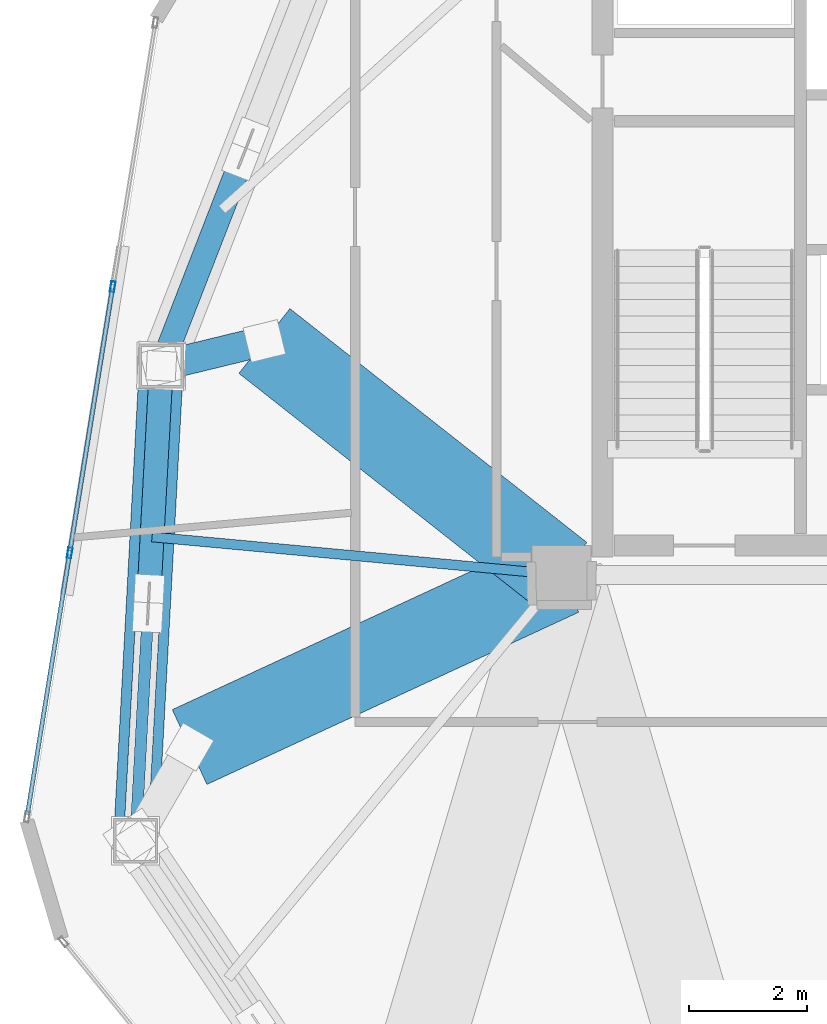
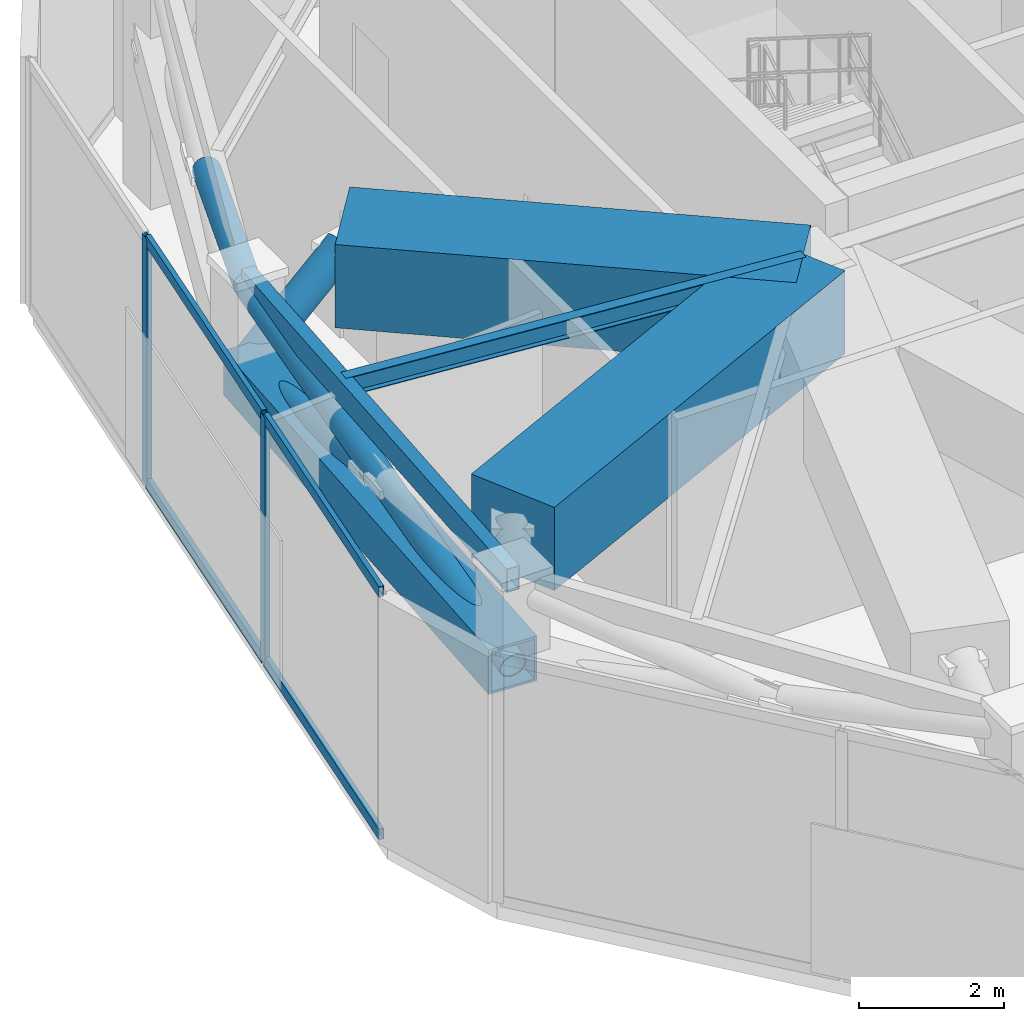
# One storey, part 6 of 19: 11 members, 4 beams, 1 element without a shape of its own.
"""IFC4 building model written with IfcOpenShell, lengths in metres."""

from ifc_helpers import new_model, si_unit, direction, frame, origin, origin_2d, place, context, subcontext, project, spatial, rectangle, hollow_rectangle, hollow_circle, i_section, extrude, source, transform, mapped, material, layer, layer_set, material_profile, profile_set, type_object, type_shapes, element, aggregate, save


model = new_model("IFC4")

# Units and contexts
model_context = context("Model", 3, precision=1e-05, world=origin(), true_north=direction((0.0, 1.0)))
body_context = subcontext(model_context, "Body", "Model", "MODEL_VIEW")
ifc_project = project(units=[si_unit("LENGTHUNIT", "METRE"), si_unit("AREAUNIT", "SQUARE_METRE"), si_unit("VOLUMEUNIT", "CUBIC_METRE"), si_unit("PLANEANGLEUNIT", "RADIAN"), si_unit("MASSUNIT", "GRAM", prefix="KILO")], contexts=[model_context])

# Site, building, storey
site_placement = place(None, origin())
site = spatial("IfcSite", under=ifc_project, at=site_placement, CompositionType="ELEMENT")
building_placement = place(site_placement, origin())
building = spatial("IfcBuilding", under=site, at=building_placement, Name="Talar Marvaseh", CompositionType="ELEMENT")
storey_placement = place(building_placement, frame((0.0, 0.0, 236.199951171875)))
storey = spatial("IfcBuildingStorey", under=building, at=storey_placement, Name="L62", CompositionType="ELEMENT", Elevation=236.199951171875)

# Beams
ifc_material_1 = material(Name="Concrete C70/85", Category="concrete")
ifc_material_profile_1 = material_profile(ifc_material_1, rectangle(XDim=1.39990234375, YDim=1.39990234375, at=origin_2d()), Name="RC1400x1400")
ifc_profile_set_1 = profile_set([ifc_material_profile_1], Name="Concrete C70/85")
beam_type_1 = type_object("IfcBeamType", Name="Setback Deep Concrete Transfer Girder RC1400x1400", PredefinedType="BEAM", material=ifc_profile_set_1)
beam_1_placement = place(storey_placement, frame((12.388916015625, 22.576904296875, 3.449951171875), z_axis=(0.907394527995, 0.420279871709, 0.0), x_axis=(-0.420279871709, 0.907394527995, 0.0)))
element("IfcBeam", 1, at=beam_1_placement, inside=storey, type_object=beam_type_1, Name="L62 Setback Backspan Transfer Girder 1", PredefinedType="BEAM", context=body_context, shape_type="SweptSolid", body=[
    extrude(rectangle(XDim=1.39990234375, YDim=1.39990234375, at=origin_2d()), origin(), (0.0, 0.0, 1.0), 6.955078125),
])
beam_2_placement = place(storey_placement, frame((13.657958984375, 29.469970703125, 3.449951171875), z_axis=(0.785681617372, -0.618631066245, 0.0), x_axis=(0.618631066245, 0.785681617372, 0.0)))
element("IfcBeam", 2, at=beam_2_placement, inside=storey, type_object=beam_type_1, Name="L62 Setback Backspan Transfer Girder 2", PredefinedType="BEAM", context=body_context, shape_type="SweptSolid", body=[
    extrude(rectangle(XDim=1.39990234375, YDim=1.39990234375, at=origin_2d()), origin(), (0.0, 0.0, 1.0), 6.417236328125),
])
ifc_material_2 = material(Name="Steel S355", Category="steel")
ifc_material_profile_2 = material_profile(ifc_material_2, hollow_rectangle(XDim=0.199951171875, YDim=0.39990234375, WallThickness=0.013916015625, at=origin_2d()), Name="RHS400x200x14")
ifc_profile_set_2 = profile_set([ifc_material_profile_2], Name="Steel S355")
beam_type_2 = type_object("IfcBeamType", Name="Zone 3 Perimeter Spandrel Beam RHS400x200x14", PredefinedType="SPANDREL", material=ifc_profile_set_2)
beam_3_placement = place(storey_placement, frame((11.471923828125, 20.986083984375, 3.949951171875), z_axis=(0.054148078426, 0.998532916635, 0.0), x_axis=(-0.998532916635, 0.054148078426, 0.0)))
element("IfcBeam", 3, at=beam_3_placement, inside=storey, type_object=beam_type_2, Name="L62 Zone 3 Perimeter Spandrel Beam RHS400x200x14", PredefinedType="SPANDREL", context=body_context, shape_type="SweptSolid", body=[
    extrude(hollow_rectangle(XDim=0.199951171875, YDim=0.39990234375, WallThickness=0.013916015625, at=origin_2d()), origin(), (0.0, 0.0, 1.0), 8.070556640625),
])
ifc_material_profile_3 = material_profile(ifc_material_2, i_section(OverallWidth=0.166015625, OverallDepth=0.31298828125, WebThickness=0.006591796875, FlangeThickness=0.01123046875, at=origin_2d()), Name="W310x45")
ifc_profile_set_3 = profile_set([ifc_material_profile_3], Name="Steel S355")
beam_type_3 = type_object("IfcBeamType", Name="Zone 3 Secondary Floor Joist W310x45", PredefinedType="JOIST", material=ifc_profile_set_3)
beam_4_placement = place(storey_placement, frame((11.751708984375, 26.143798828125, 3.99365234375), z_axis=(0.995734842854, -0.092261165868, 0.0), x_axis=(0.092261165868, 0.995734842854, 0.0)))
element("IfcBeam", 4, at=beam_4_placement, inside=storey, type_object=beam_type_3, Name="L62 Zone 3 Secondary Floor Joist W310x45", PredefinedType="JOIST", context=body_context, shape_type="SweptSolid", body=[
    extrude(i_section(OverallWidth=0.166015625, OverallDepth=0.31298828125, WebThickness=0.006591796875, FlangeThickness=0.01123046875, at=origin_2d()), origin(), (0.0, 0.0, 1.0), 6.97802734375),
])

# Members
ifc_material_3 = material(Name="Steel S460", Category="steel")
ifc_material_profile_4 = material_profile(ifc_material_3, hollow_circle(Radius=0.25390625, WallThickness=0.02001953125, at=origin_2d()), Name="CHS508x20")
ifc_profile_set_4 = profile_set([ifc_material_profile_4], Name="Steel S460")
member_type_1 = type_object("IfcMemberType", Name="Crown Frame Diagonal Brace CHS508x20", PredefinedType="BRACE", material=ifc_profile_set_4)
shared_shape_1 = source(origin(), body_context, "Body", "SweptSolid", [
    extrude(hollow_circle(Radius=0.25390625, WallThickness=0.02001953125, at=origin_2d()), origin(), (0.0, 0.0, 1.0), 2.109375),
])
type_shapes(member_type_1, [shared_shape_1])
member_1_placement = place(storey_placement, frame((11.908935546875, 29.044921875, 2.550048828125), z_axis=(0.829119947129, 0.201493275817, 0.521498392206), x_axis=(-0.236147367189, 0.971717253613, 0.0)))
element("IfcMember", 5, at=member_1_placement, inside=storey, type_object=member_type_1, Name="L62 Setback Transfer Raked Strut 2", PredefinedType="BRACE", context=body_context, shape_type="MappedRepresentation", body=[
    mapped(shared_shape_1, transform((0.0, 0.0, 0.0), x_axis=(1.0, 0.0, 0.0), y_axis=(0.0, 1.0, 0.0), z_axis=(0.0, 0.0, 1.0), scale=1.0)),
])
ifc_material_profile_5 = material_profile(ifc_material_3, hollow_rectangle(XDim=0.75, YDim=0.75, WallThickness=0.0400390625, at=origin_2d()), Name="BOX750x750x40")
ifc_profile_set_5 = profile_set([ifc_material_profile_5], Name="Steel S460")
member_type_2 = type_object("IfcMemberType", Name="Belt Truss Chord Member BOX750x750x40", PredefinedType="CHORD", material=ifc_profile_set_5)
shared_shape_2 = source(origin(), body_context, "Body", "SweptSolid", [
    extrude(hollow_rectangle(XDim=0.75, YDim=0.75, WallThickness=0.0400390625, at=origin_2d()), origin(), (0.0, 0.0, 1.0), 8.070556640625),
])
type_shapes(member_type_2, [shared_shape_2])
member_2_placement = place(storey_placement, frame((11.471923828125, 20.986083984375, 2.5), z_axis=(0.054148078426, 0.998532916635, 0.0), x_axis=(-0.998532916635, 0.054148078426, 0.0)))
element("IfcMember", 6, at=member_2_placement, inside=storey, type_object=member_type_2, Name="L62 Belt Truss Bottom Chord 9", PredefinedType="CHORD", context=body_context, shape_type="MappedRepresentation", body=[
    mapped(shared_shape_2, transform((0.0, 0.0, 0.0), x_axis=(1.0, 0.0, 0.0), y_axis=(0.0, 1.0, 0.0), z_axis=(0.0, 0.0, 1.0), scale=1.0)),
])
ifc_material_profile_6 = material_profile(ifc_material_3, hollow_circle(Radius=0.203125, WallThickness=0.01611328125, at=origin_2d()), Name="CHS406x16")
ifc_profile_set_6 = profile_set([ifc_material_profile_6], Name="Steel S460")
member_type_3 = type_object("IfcMemberType", Name="Belt Truss Diagonal Brace CHS406x16", PredefinedType="BRACE", material=ifc_profile_set_6)
shared_shape_3 = source(origin(), body_context, "Body", "SweptSolid", [
    extrude(hollow_circle(Radius=0.203125, WallThickness=0.01611328125, at=origin_2d()), origin(), (0.0, 0.0, 1.0), 3.851318359375),
])
member_3_placement = place(storey_placement, frame((11.908935546875, 29.044921875, 2.5), z_axis=(-0.053375460883, -0.984846983711, 0.165007511496), x_axis=(0.998534586077, -0.054117283823, 0.0)))
element("IfcMember", 7, at=member_3_placement, inside=storey, type_object=member_type_3, Name="L62 Belt Truss Split Diagonal Lower 9", PredefinedType="BRACE", context=body_context, shape_type="MappedRepresentation", body=[
    mapped(shared_shape_3, transform((0.0, 0.0, 0.0), x_axis=(1.0, 0.0, 0.0), y_axis=(0.0, 1.0, 0.0), z_axis=(0.0, 0.0, 1.0), scale=1.0)),
])
shared_shape_4 = source(origin(), body_context, "Body", "SweptSolid", [
    extrude(hollow_circle(Radius=0.203125, WallThickness=0.01611328125, at=origin_2d()), origin(), (0.0, 0.0, 1.0), 8.182861328125),
])
member_4_placement = place(storey_placement, frame((11.471923828125, 20.986083984375, 2.5), z_axis=(0.053405977048, 0.98484798681, 0.164991649764), x_axis=(-0.998532916635, 0.054148078426, 0.0)))
element("IfcMember", 8, at=member_4_placement, inside=storey, type_object=member_type_3, Name="L62 Belt Truss Continuous Diagonal 9", PredefinedType="BRACE", context=body_context, shape_type="MappedRepresentation", body=[
    mapped(shared_shape_4, transform((0.0, 0.0, 0.0), x_axis=(1.0, 0.0, 0.0), y_axis=(0.0, 1.0, 0.0), z_axis=(0.0, 0.0, 1.0), scale=1.0)),
])
shared_shape_5 = source(origin(), body_context, "Body", "SweptSolid", [
    extrude(hollow_circle(Radius=0.203125, WallThickness=0.01611328125, at=origin_2d()), origin(), (0.0, 0.0, 1.0), 3.771240234375),
])
type_shapes(member_type_3, [shared_shape_3, shared_shape_4, shared_shape_5])
member_5_placement = place(storey_placement, frame((13.25537109375, 32.510009765625, 3.21533203125), z_axis=(-0.357022268232, -0.918806355942, 0.168315121923), x_axis=(0.932104467002, -0.362189539598, 0.0)))
element("IfcMember", 9, at=member_5_placement, inside=storey, type_object=member_type_3, Name="L62 Belt Truss Split Diagonal Upper 10", PredefinedType="BRACE", context=body_context, shape_type="MappedRepresentation", body=[
    mapped(shared_shape_5, transform((0.0, 0.0, 0.0), x_axis=(1.0, 0.0, 0.0), y_axis=(0.0, 1.0, 0.0), z_axis=(0.0, 0.0, 1.0), scale=1.0)),
])

# Curtain wall, members
ifc_material_4 = material(Name="Architectural Aluminium", Category="aluminium")
ifc_layer = layer(ifc_material_4, 0.18994140625)
ifc_layer_set = layer_set([ifc_layer], Name="Architectural Aluminium")
curtain_wall_type = type_object("IfcCurtainWallType", Name="Unitised Solar Atelier Curtain Wall Z3", PredefinedType="NOTDEFINED", material=ifc_layer_set)
curtain_wall_placement = place(storey_placement, origin())
curtain_wall = element("IfcCurtainWall", 10, at=curtain_wall_placement, inside=storey, type_object=curtain_wall_type, Name="L62 Unitised Solar Atelier Curtain Wall Z3", PredefinedType="NOTDEFINED")
ifc_material_profile_7 = material_profile(ifc_material_4, hollow_rectangle(XDim=0.074951171875, YDim=0.179931640625, WallThickness=0.0048828125, at=origin_2d()), Name="RHS180x75x5")
ifc_profile_set_7 = profile_set([ifc_material_profile_7], Name="Architectural Aluminium")
member_type_4 = type_object("IfcMemberType", Name="Unitised Curtain Wall Standard Mullion RHS180x75x5", PredefinedType="MULLION", material=ifc_profile_set_7)
shared_shape_6 = source(origin(), body_context, "Body", "SweptSolid", [
    extrude(hollow_rectangle(XDim=0.074951171875, YDim=0.179931640625, WallThickness=0.0048828125, at=origin_2d()), origin(), (0.0, 0.0, 1.0), 4.150146484375),
])
type_shapes(member_type_4, [shared_shape_6])
member_6_placement = place(storey_placement, frame((10.3544921875, 25.87255859375, 0.0), z_axis=(0.0, 0.0, 1.0), x_axis=(-0.987186333682, 0.159571747475, 0.0)))
member_6 = element("IfcMember", 11, at=member_6_placement, type_object=member_type_4, Name="CW-Z3 mullion 2", PredefinedType="MULLION", context=body_context, shape_type="MappedRepresentation", body=[
    mapped(shared_shape_6, transform((0.0, 0.0, 0.0), x_axis=(1.0, 0.0, 0.0), y_axis=(0.0, 1.0, 0.0), z_axis=(0.0, 0.0, 1.0), scale=1.0)),
])
member_7_placement = place(storey_placement, frame((11.084716796875, 30.39111328125, 0.0), z_axis=(0.0, 0.0, 1.0), x_axis=(-0.987186333682, 0.159571747475, 0.0)))
member_7 = element("IfcMember", 12, at=member_7_placement, type_object=member_type_4, Name="CW-Z3 mullion 3", PredefinedType="MULLION", context=body_context, shape_type="MappedRepresentation", body=[
    mapped(shared_shape_6, transform((0.0, 0.0, 0.0), x_axis=(1.0, 0.0, 0.0), y_axis=(0.0, 1.0, 0.0), z_axis=(0.0, 0.0, 1.0), scale=1.0)),
])
ifc_material_profile_8 = material_profile(ifc_material_4, hollow_rectangle(XDim=0.074951171875, YDim=0.179931640625, WallThickness=0.0048828125, at=origin_2d()), Name="RHS180x75x5")
ifc_profile_set_8 = profile_set([ifc_material_profile_8], Name="Architectural Aluminium")
member_type_5 = type_object("IfcMemberType", Name="Unitised Curtain Wall Transom RHS180x75x5", PredefinedType="USERDEFINED", material=ifc_profile_set_8)
shared_shape_7 = source(origin(), body_context, "Body", "SweptSolid", [
    extrude(hollow_rectangle(XDim=0.074951171875, YDim=0.179931640625, WallThickness=0.0048828125, at=origin_2d()), origin(), (0.0, 0.0, 1.0), 4.464599609375),
])
member_8_placement = place(storey_placement, frame((9.635986328125, 21.427978515625, 0.03759765625), z_axis=(0.159564242049, 0.987187546852, 0.0), x_axis=(-0.987187546852, 0.159564242049, 0.0)))
member_8 = element("IfcMember", 13, at=member_8_placement, type_object=member_type_5, Name="CW-Z3 transom 1.1", ObjectType="TRANSOM", PredefinedType="USERDEFINED", context=body_context, shape_type="MappedRepresentation", body=[
    mapped(shared_shape_7, transform((0.0, 0.0, 0.0), x_axis=(1.0, 0.0, 0.0), y_axis=(0.0, 1.0, 0.0), z_axis=(0.0, 0.0, 1.0), scale=1.0)),
])
member_9_placement = place(storey_placement, frame((9.635986328125, 21.427978515625, 4.112548828125), z_axis=(0.159564242049, 0.987187546852, 0.0), x_axis=(-0.987187546852, 0.159564242049, 0.0)))
member_9 = element("IfcMember", 14, at=member_9_placement, type_object=member_type_5, Name="CW-Z3 transom 1.2", ObjectType="TRANSOM", PredefinedType="USERDEFINED", context=body_context, shape_type="MappedRepresentation", body=[
    mapped(shared_shape_7, transform((0.0, 0.0, 0.0), x_axis=(1.0, 0.0, 0.0), y_axis=(0.0, 1.0, 0.0), z_axis=(0.0, 0.0, 1.0), scale=1.0)),
])
shared_shape_8 = source(origin(), body_context, "Body", "SweptSolid", [
    extrude(hollow_rectangle(XDim=0.074951171875, YDim=0.179931640625, WallThickness=0.0048828125, at=origin_2d()), origin(), (0.0, 0.0, 1.0), 4.502197265625),
])
type_shapes(member_type_5, [shared_shape_7, shared_shape_8])
member_10_placement = place(storey_placement, frame((10.3603515625, 25.909423828125, 0.03759765625), z_axis=(0.159587042226, 0.987183861271, 0.0), x_axis=(-0.987183861271, 0.159587042226, 0.0)))
member_10 = element("IfcMember", 15, at=member_10_placement, type_object=member_type_5, Name="CW-Z3 transom 2.1", ObjectType="TRANSOM", PredefinedType="USERDEFINED", context=body_context, shape_type="MappedRepresentation", body=[
    mapped(shared_shape_8, transform((0.0, 0.0, 0.0), x_axis=(1.0, 0.0, 0.0), y_axis=(0.0, 1.0, 0.0), z_axis=(0.0, 0.0, 1.0), scale=1.0)),
])
member_11_placement = place(storey_placement, frame((10.3603515625, 25.909423828125, 4.112548828125), z_axis=(0.159587042226, 0.987183861271, 0.0), x_axis=(-0.987183861271, 0.159587042226, 0.0)))
member_11 = element("IfcMember", 16, at=member_11_placement, type_object=member_type_5, Name="CW-Z3 transom 2.2", ObjectType="TRANSOM", PredefinedType="USERDEFINED", context=body_context, shape_type="MappedRepresentation", body=[
    mapped(shared_shape_8, transform((0.0, 0.0, 0.0), x_axis=(1.0, 0.0, 0.0), y_axis=(0.0, 1.0, 0.0), z_axis=(0.0, 0.0, 1.0), scale=1.0)),
])
aggregate(curtain_wall, [member_6, member_7, member_8, member_9, member_10, member_11])

save(model, "model.ifc")
